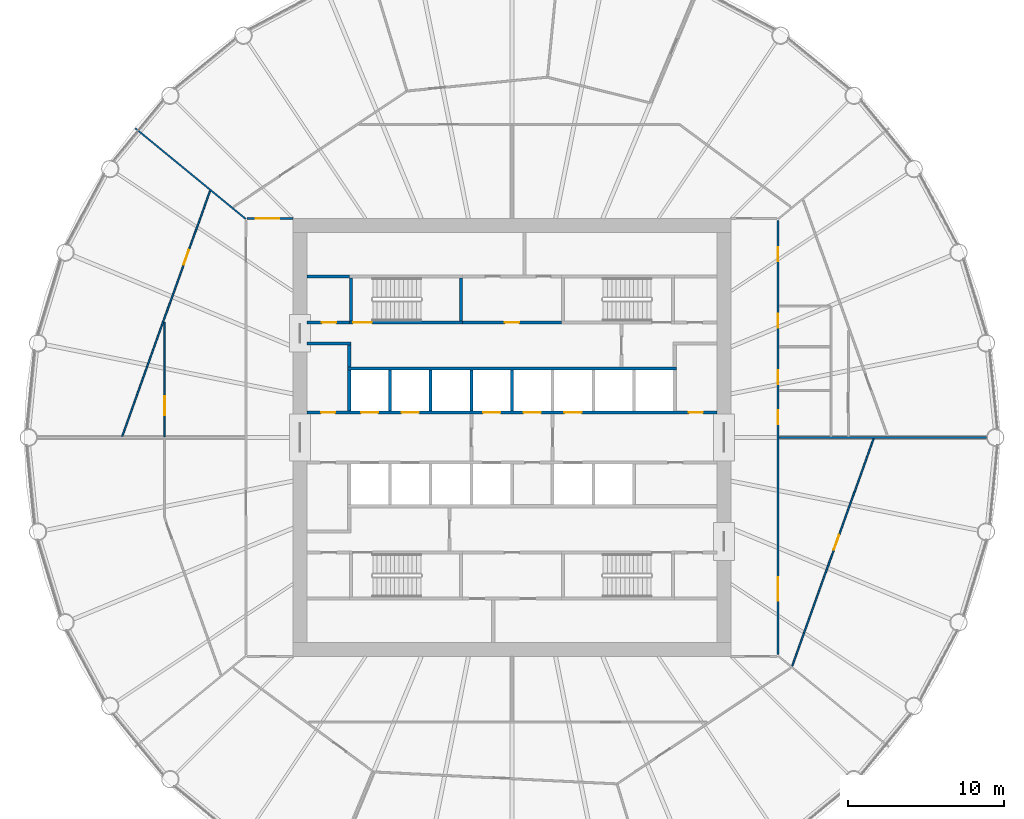
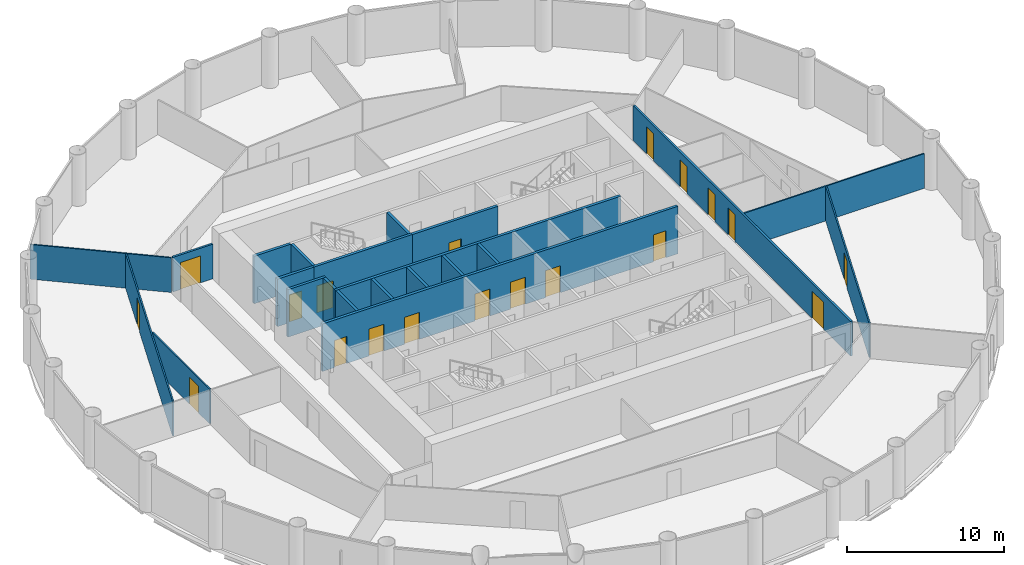
# One storey, part 6 of 9: 22 walls, 19 doors, 19 openings.
"""IFC4 building model written with IfcOpenShell, lengths in metres."""

from ifc_helpers import new_model, si_unit, direction, frame, frame_2d, origin, place, context, subcontext, project, spatial, polyline, rectangle, outline, extrude, material, layer, layer_set, type_object, element, fill, save


model = new_model("IFC4")

# Units and contexts
model_context = context("Model", 3, precision=1e-05, world=origin(), true_north=direction((0.0, 1.0)))
body_context = subcontext(model_context, "Body", "Model", "MODEL_VIEW")
ifc_project = project(units=[si_unit("LENGTHUNIT", "METRE"), si_unit("AREAUNIT", "SQUARE_METRE"), si_unit("VOLUMEUNIT", "CUBIC_METRE"), si_unit("PLANEANGLEUNIT", "RADIAN"), si_unit("MASSUNIT", "GRAM", prefix="KILO")], contexts=[model_context])

# Site, building, storey
site_placement = place(None, origin())
site = spatial("IfcSite", under=ifc_project, at=site_placement, CompositionType="ELEMENT")
building_placement = place(site_placement, origin())
building = spatial("IfcBuilding", under=site, at=building_placement, Name="Corvane Civic Tower", CompositionType="ELEMENT")
storey_placement = place(building_placement, frame((0.0, 0.0, 180.0)))
storey = spatial("IfcBuildingStorey", under=building, at=storey_placement, Name="L42", CompositionType="ELEMENT", Elevation=180.0)

# Wall, openings, doors
ifc_material_1 = material(Name="Concrete C30/37", Category="concrete")
ifc_layer_1 = layer(ifc_material_1, 0.199951171875)
ifc_layer_set_1 = layer_set([ifc_layer_1], Name="Concrete C30/37")
wall_type_1 = type_object("IfcWallType", Name="CR-WALL-200", PredefinedType="PARTITIONING", material=ifc_layer_set_1)
wall_1_placement = place(storey_placement, frame((-13.10009765625, 1.60009765625, 0.0), z_axis=(0.0, 0.0, 1.0), x_axis=(1.0, 0.0, 0.0)))
wall_1 = element("IfcWall", 1, at=wall_1_placement, inside=storey, type_object=wall_type_1, Name="L42 lift shaft wall", PredefinedType="PARTITIONING", context=body_context, shape_type="SweptSolid", body=[
    extrude(rectangle(XDim=26.2001953125, YDim=0.199951171875, at=frame_2d((13.10009765625, 0.0))), origin(), (0.0, 0.0, 1.0), 3.699951171875),
])
opening_1_placement = place(wall_1_placement, frame((3.449951171875, 0.0, 0.0)))
opening_1 = element("IfcOpeningElement", 2, at=opening_1_placement, cuts=wall_1, Name="Opening LD", PredefinedType="OPENING", context=body_context, shape_type="SweptSolid", body=[
    extrude(rectangle(XDim=1.10009765625, YDim=2.10009765625, at=frame_2d((0.550048828125, 1.050048828125))), frame((0.0, 0.10986328125, 0.0), z_axis=(0.0, -1.0, 0.0), x_axis=(1.0, 0.0, 0.0)), (0.0, 0.0, 1.0), 0.219970703125),
])
opening_2_placement = place(wall_1_placement, frame((6.050048828125, 0.0, 0.0)))
opening_2 = element("IfcOpeningElement", 3, at=opening_2_placement, cuts=wall_1, Name="Opening LD", PredefinedType="OPENING", context=body_context, shape_type="SweptSolid", body=[
    extrude(rectangle(XDim=1.10009765625, YDim=2.10009765625, at=frame_2d((0.550048828125, 1.050048828125))), frame((0.0, 0.10986328125, 0.0), z_axis=(0.0, -1.0, 0.0), x_axis=(1.0, 0.0, 0.0)), (0.0, 0.0, 1.0), 0.219970703125),
])
opening_3_placement = place(wall_1_placement, frame((11.25, 0.0, 0.0)))
opening_3 = element("IfcOpeningElement", 4, at=opening_3_placement, cuts=wall_1, Name="Opening LD", PredefinedType="OPENING", context=body_context, shape_type="SweptSolid", body=[
    extrude(rectangle(XDim=1.10009765625, YDim=2.10009765625, at=frame_2d((0.550048828125, 1.050048828125))), frame((0.0, 0.10986328125, 0.0), z_axis=(0.0, -1.0, 0.0), x_axis=(1.0, 0.0, 0.0)), (0.0, 0.0, 1.0), 0.219970703125),
])
opening_4_placement = place(wall_1_placement, frame((13.85009765625, 0.0, 0.0)))
opening_4 = element("IfcOpeningElement", 5, at=opening_4_placement, cuts=wall_1, Name="Opening LD", PredefinedType="OPENING", context=body_context, shape_type="SweptSolid", body=[
    extrude(rectangle(XDim=1.10009765625, YDim=2.10009765625, at=frame_2d((0.550048828125, 1.050048828125))), frame((0.0, 0.10986328125, 0.0), z_axis=(0.0, -1.0, 0.0), x_axis=(1.0, 0.0, 0.0)), (0.0, 0.0, 1.0), 0.219970703125),
])
opening_5_placement = place(wall_1_placement, frame((16.449951171875, 0.0, 0.0)))
opening_5 = element("IfcOpeningElement", 6, at=opening_5_placement, cuts=wall_1, Name="Opening LD", PredefinedType="OPENING", context=body_context, shape_type="SweptSolid", body=[
    extrude(rectangle(XDim=1.10009765625, YDim=2.10009765625, at=frame_2d((0.550048828125, 1.050048828125))), frame((0.0, 0.10986328125, 0.0), z_axis=(0.0, -1.0, 0.0), x_axis=(1.0, 0.0, 0.0)), (0.0, 0.0, 1.0), 0.219970703125),
])
opening_6_placement = place(wall_1_placement, frame((0.89990234375, 0.0, 0.0)))
opening_6 = element("IfcOpeningElement", 7, at=opening_6_placement, cuts=wall_1, Name="Opening L42.C01", PredefinedType="OPENING", context=body_context, shape_type="SweptSolid", body=[
    extrude(rectangle(XDim=0.89990234375, YDim=2.10009765625, at=frame_2d((0.449951171875, 1.050048828125))), frame((0.0, 0.10986328125, 0.0), z_axis=(0.0, -1.0, 0.0), x_axis=(1.0, 0.0, 0.0)), (0.0, 0.0, 1.0), 0.219970703125),
])
opening_7_placement = place(wall_1_placement, frame((24.39990234375, 0.0, 0.0)))
opening_7 = element("IfcOpeningElement", 8, at=opening_7_placement, cuts=wall_1, Name="Opening L42.C02", PredefinedType="OPENING", context=body_context, shape_type="SweptSolid", body=[
    extrude(rectangle(XDim=0.89990234375, YDim=2.10009765625, at=frame_2d((0.449951171875, 1.050048828125))), frame((0.0, 0.10986328125, 0.0), z_axis=(0.0, -1.0, 0.0), x_axis=(1.0, 0.0, 0.0)), (0.0, 0.0, 1.0), 0.219970703125),
])
ifc_material_2 = material(Name="Steel fire door leaf", Category="steel")
door_type_1 = type_object("IfcDoorType", Name="CR-DOOR-900", OperationType="SINGLE_SWING_LEFT", PredefinedType="DOOR", material=ifc_material_2)
door_1_placement = place(opening_6_placement, origin())
door_1 = element("IfcDoor", 9, at=door_1_placement, inside=storey, type_object=door_type_1, Name="L42 door", OperationType="SINGLE_SWING_LEFT", OverallHeight=2.10009765625, OverallWidth=0.89990234375, PredefinedType="DOOR", context=body_context, shape_type="SweptSolid", body=[
    extrude(rectangle(XDim=0.89990234375, YDim=2.10009765625, at=frame_2d((0.449951171875, 1.050048828125))), frame((0.0, 0.02490234375, 0.0), z_axis=(0.0, -1.0, 0.0), x_axis=(1.0, 0.0, 0.0)), (0.0, 0.0, 1.0), 0.050048828125),
])
fill(opening_6, door_1)
door_2_placement = place(opening_7_placement, origin())
door_2 = element("IfcDoor", 10, at=door_2_placement, inside=storey, type_object=door_type_1, Name="L42 door", OperationType="SINGLE_SWING_LEFT", OverallHeight=2.10009765625, OverallWidth=0.89990234375, PredefinedType="DOOR", context=body_context, shape_type="SweptSolid", body=[
    extrude(rectangle(XDim=0.89990234375, YDim=2.10009765625, at=frame_2d((0.449951171875, 1.050048828125))), frame((0.0, 0.02490234375, 0.0), z_axis=(0.0, -1.0, 0.0), x_axis=(1.0, 0.0, 0.0)), (0.0, 0.0, 1.0), 0.050048828125),
])
fill(opening_7, door_2)
ifc_material_3 = material(Name="Stainless steel 316 door leaves", Category="steel")
door_type_2 = type_object("IfcDoorType", Name="LD", OperationType="DOUBLE_DOOR_SLIDING", PredefinedType="DOOR", material=ifc_material_3)
door_3_placement = place(opening_1_placement, origin())
door_3 = element("IfcDoor", 11, at=door_3_placement, inside=storey, type_object=door_type_2, Name="L42 landing door", OperationType="DOUBLE_DOOR_SLIDING", OverallHeight=2.10009765625, OverallWidth=1.10009765625, PredefinedType="DOOR", context=body_context, shape_type="SweptSolid", body=[
    extrude(rectangle(XDim=1.10009765625, YDim=2.10009765625, at=frame_2d((0.550048828125, 1.050048828125))), frame((0.0, 0.02490234375, 0.0), z_axis=(0.0, -1.0, 0.0), x_axis=(1.0, 0.0, 0.0)), (0.0, 0.0, 1.0), 0.050048828125),
])
fill(opening_1, door_3)
door_4_placement = place(opening_2_placement, origin())
door_4 = element("IfcDoor", 12, at=door_4_placement, inside=storey, type_object=door_type_2, Name="L42 landing door", OperationType="DOUBLE_DOOR_SLIDING", OverallHeight=2.10009765625, OverallWidth=1.10009765625, PredefinedType="DOOR", context=body_context, shape_type="SweptSolid", body=[
    extrude(rectangle(XDim=1.10009765625, YDim=2.10009765625, at=frame_2d((0.550048828125, 1.050048828125))), frame((0.0, 0.02490234375, 0.0), z_axis=(0.0, -1.0, 0.0), x_axis=(1.0, 0.0, 0.0)), (0.0, 0.0, 1.0), 0.050048828125),
])
fill(opening_2, door_4)
door_5_placement = place(opening_3_placement, origin())
door_5 = element("IfcDoor", 13, at=door_5_placement, inside=storey, type_object=door_type_2, Name="L42 landing door", OperationType="DOUBLE_DOOR_SLIDING", OverallHeight=2.10009765625, OverallWidth=1.10009765625, PredefinedType="DOOR", context=body_context, shape_type="SweptSolid", body=[
    extrude(rectangle(XDim=1.10009765625, YDim=2.10009765625, at=frame_2d((0.550048828125, 1.050048828125))), frame((0.0, 0.02490234375, 0.0), z_axis=(0.0, -1.0, 0.0), x_axis=(1.0, 0.0, 0.0)), (0.0, 0.0, 1.0), 0.050048828125),
])
fill(opening_3, door_5)
door_6_placement = place(opening_4_placement, origin())
door_6 = element("IfcDoor", 14, at=door_6_placement, inside=storey, type_object=door_type_2, Name="L42 landing door", OperationType="DOUBLE_DOOR_SLIDING", OverallHeight=2.10009765625, OverallWidth=1.10009765625, PredefinedType="DOOR", context=body_context, shape_type="SweptSolid", body=[
    extrude(rectangle(XDim=1.10009765625, YDim=2.10009765625, at=frame_2d((0.550048828125, 1.050048828125))), frame((0.0, 0.02490234375, 0.0), z_axis=(0.0, -1.0, 0.0), x_axis=(1.0, 0.0, 0.0)), (0.0, 0.0, 1.0), 0.050048828125),
])
fill(opening_4, door_6)
door_7_placement = place(opening_5_placement, origin())
door_7 = element("IfcDoor", 15, at=door_7_placement, inside=storey, type_object=door_type_2, Name="L42 landing door", OperationType="DOUBLE_DOOR_SLIDING", OverallHeight=2.10009765625, OverallWidth=1.10009765625, PredefinedType="DOOR", context=body_context, shape_type="SweptSolid", body=[
    extrude(rectangle(XDim=1.10009765625, YDim=2.10009765625, at=frame_2d((0.550048828125, 1.050048828125))), frame((0.0, 0.02490234375, 0.0), z_axis=(0.0, -1.0, 0.0), x_axis=(1.0, 0.0, 0.0)), (0.0, 0.0, 1.0), 0.050048828125),
])
fill(opening_5, door_7)

# Wall, opening, door
wall_2_placement = place(storey_placement, frame((-13.10009765625, 7.35009765625, 0.0), z_axis=(0.0, 0.0, 1.0), x_axis=(1.0, 0.0, 0.0)))
wall_2 = element("IfcWall", 16, at=wall_2_placement, inside=storey, type_object=wall_type_1, Name="L42 core partition wall", PredefinedType="PARTITIONING", context=body_context, shape_type="SweptSolid", body=[
    extrude(rectangle(XDim=2.7001953125, YDim=0.199951171875, at=frame_2d((1.35009765625, 0.0))), origin(), (0.0, 0.0, 1.0), 3.699951171875),
])
opening_8_placement = place(wall_2_placement, frame((0.949951171875, 0.0, 0.0)))
opening_8 = element("IfcOpeningElement", 17, at=opening_8_placement, cuts=wall_2, Name="Opening L42.C12", PredefinedType="OPENING", context=body_context, shape_type="SweptSolid", body=[
    extrude(rectangle(XDim=0.89990234375, YDim=2.10009765625, at=frame_2d((0.449951171875, 1.050048828125))), frame((0.0, 0.10986328125, 0.0), z_axis=(0.0, -1.0, 0.0), x_axis=(1.0, 0.0, 0.0)), (0.0, 0.0, 1.0), 0.219970703125),
])
door_8_placement = place(opening_8_placement, origin())
door_8 = element("IfcDoor", 18, at=door_8_placement, inside=storey, type_object=door_type_1, Name="L42 door", OperationType="SINGLE_SWING_LEFT", OverallHeight=2.10009765625, OverallWidth=0.89990234375, PredefinedType="DOOR", context=body_context, shape_type="SweptSolid", body=[
    extrude(rectangle(XDim=0.89990234375, YDim=2.10009765625, at=frame_2d((0.449951171875, 1.050048828125))), frame((0.0, 0.02490234375, 0.0), z_axis=(0.0, -1.0, 0.0), x_axis=(1.0, 0.0, 0.0)), (0.0, 0.0, 1.0), 0.050048828125),
])
fill(opening_8, door_8)

wall_3_placement = place(storey_placement, frame((-3.14990234375, 7.35009765625, 0.0), z_axis=(0.0, 0.0, 1.0), x_axis=(1.0, 0.0, 0.0)))
wall_3 = element("IfcWall", 19, at=wall_3_placement, inside=storey, type_object=wall_type_1, Name="L42 core partition wall", PredefinedType="PARTITIONING", context=body_context, shape_type="SweptSolid", body=[
    extrude(rectangle(XDim=6.2998046875, YDim=0.199951171875, at=frame_2d((3.14990234375, 0.0))), origin(), (0.0, 0.0, 1.0), 3.699951171875),
])
opening_9_placement = place(wall_3_placement, frame((2.699951171875, 0.0, 0.0)))
opening_9 = element("IfcOpeningElement", 20, at=opening_9_placement, cuts=wall_3, Name="Opening L42.C06", PredefinedType="OPENING", context=body_context, shape_type="SweptSolid", body=[
    extrude(rectangle(XDim=0.89990234375, YDim=2.10009765625, at=frame_2d((0.449951171875, 1.050048828125))), frame((0.0, 0.10986328125, 0.0), z_axis=(0.0, -1.0, 0.0), x_axis=(1.0, 0.0, 0.0)), (0.0, 0.0, 1.0), 0.219970703125),
])
door_9_placement = place(opening_9_placement, origin())
door_9 = element("IfcDoor", 21, at=door_9_placement, inside=storey, type_object=door_type_1, Name="L42 door", OperationType="SINGLE_SWING_LEFT", OverallHeight=2.10009765625, OverallWidth=0.89990234375, PredefinedType="DOOR", context=body_context, shape_type="SweptSolid", body=[
    extrude(rectangle(XDim=0.89990234375, YDim=2.10009765625, at=frame_2d((0.449951171875, 1.050048828125))), frame((0.0, 0.02490234375, 0.0), z_axis=(0.0, -1.0, 0.0), x_axis=(1.0, 0.0, 0.0)), (0.0, 0.0, 1.0), 0.050048828125),
])
fill(opening_9, door_9)

# Walls
wall_4_placement = place(storey_placement, origin())
element("IfcWall", 22, at=wall_4_placement, inside=storey, type_object=wall_type_1, Name="L42 core partition wall", PredefinedType="PARTITIONING", context=body_context, shape_type="SweptSolid", body=[
    extrude(outline(polyline([(10.5, 4.5), (10.5, 4.300048828125), (-10.5, 4.300048828125), (-10.5, 4.5), (10.5, 4.5)])), origin(), (0.0, 0.0, 1.0), 3.699951171875),
])
wall_5_placement = place(storey_placement, origin())
element("IfcWall", 23, at=wall_5_placement, inside=storey, type_object=wall_type_1, Name="L42 core partition wall", PredefinedType="PARTITIONING", context=body_context, shape_type="SweptSolid", body=[
    extrude(outline(polyline([(-10.300048828125, 5.89990234375), (-13.10009765625, 5.89990234375), (-13.10009765625, 6.10009765625), (-10.300048828125, 6.10009765625), (-10.300048828125, 5.89990234375)])), origin(), (0.0, 0.0, 1.0), 3.699951171875),
])
wall_6_placement = place(storey_placement, origin())
element("IfcWall", 24, at=wall_6_placement, inside=storey, type_object=wall_type_1, Name="L42 core partition wall", PredefinedType="PARTITIONING", context=body_context, shape_type="SweptSolid", body=[
    extrude(outline(polyline([(-2.5, 1.699951171875), (-2.699951171875, 1.699951171875), (-2.699951171875, 4.2998046875), (-2.5, 4.2998046875), (-2.5, 1.699951171875)])), origin(), (0.0, 0.0, 1.0), 3.699951171875),
])
wall_7_placement = place(storey_placement, origin())
element("IfcWall", 25, at=wall_7_placement, inside=storey, type_object=wall_type_1, Name="L42 core partition wall", PredefinedType="PARTITIONING", context=body_context, shape_type="SweptSolid", body=[
    extrude(outline(polyline([(0.10009765625, 1.699951171875), (-0.10009765625, 1.699951171875), (-0.10009765625, 4.2998046875), (0.10009765625, 4.2998046875), (0.10009765625, 1.699951171875)])), origin(), (0.0, 0.0, 1.0), 3.699951171875),
])
wall_8_placement = place(storey_placement, origin())
element("IfcWall", 26, at=wall_8_placement, inside=storey, type_object=wall_type_1, Name="L42 core partition wall", PredefinedType="PARTITIONING", context=body_context, shape_type="SweptSolid", body=[
    extrude(outline(polyline([(-10.300048828125, 1.699951171875), (-10.5, 1.699951171875), (-10.5, 4.2998046875), (-10.300048828125, 4.2998046875), (-10.300048828125, 1.699951171875)])), origin(), (0.0, 0.0, 1.0), 3.699951171875),
])
wall_9_placement = place(storey_placement, origin())
element("IfcWall", 27, at=wall_9_placement, inside=storey, type_object=wall_type_1, Name="L42 core partition wall", PredefinedType="PARTITIONING", context=body_context, shape_type="SweptSolid", body=[
    extrude(outline(polyline([(-7.699951171875, 1.699951171875), (-7.89990234375, 1.699951171875), (-7.89990234375, 4.2998046875), (-7.699951171875, 4.2998046875), (-7.699951171875, 1.699951171875)])), origin(), (0.0, 0.0, 1.0), 3.699951171875),
])
wall_10_placement = place(storey_placement, origin())
element("IfcWall", 28, at=wall_10_placement, inside=storey, type_object=wall_type_1, Name="L42 core partition wall", PredefinedType="PARTITIONING", context=body_context, shape_type="SweptSolid", body=[
    extrude(outline(polyline([(-5.10009765625, 1.699951171875), (-5.300048828125, 1.699951171875), (-5.300048828125, 4.2998046875), (-5.10009765625, 4.2998046875), (-5.10009765625, 1.699951171875)])), origin(), (0.0, 0.0, 1.0), 3.699951171875),
])
wall_11_placement = place(storey_placement, origin())
element("IfcWall", 29, at=wall_11_placement, inside=storey, type_object=wall_type_1, Name="L42 core partition wall", PredefinedType="PARTITIONING", context=body_context, shape_type="SweptSolid", body=[
    extrude(outline(polyline([(-10.300048828125, 4.5), (-10.5, 4.5), (-10.5, 5.89990234375), (-10.300048828125, 5.89990234375), (-10.300048828125, 4.5)])), origin(), (0.0, 0.0, 1.0), 3.699951171875),
])
wall_12_placement = place(storey_placement, origin())
element("IfcWall", 30, at=wall_12_placement, inside=storey, type_object=wall_type_1, Name="L42 core partition wall", PredefinedType="PARTITIONING", context=body_context, shape_type="SweptSolid", body=[
    extrude(outline(polyline([(-13.10009765625, 10.199951171875), (-13.10009765625, 10.39990234375), (-10.39990234375, 10.39990234375), (-10.39990234375, 10.199951171875), (-13.10009765625, 10.199951171875)])), origin(), (0.0, 0.0, 1.0), 3.699951171875),
])

# Wall, opening, door
ifc_material_4 = material(Name="Plasterboard")
ifc_layer_2 = layer(ifc_material_4, 0.10009765625)
ifc_layer_set_2 = layer_set([ifc_layer_2], Name="Plasterboard")
wall_type_2 = type_object("IfcWallType", Name="Partition 100 plasterboard on studs", PredefinedType="PARTITIONING", material=ifc_layer_set_2)
wall_13_placement = place(storey_placement, frame((17.911865234375, -14.61328125, 0.0), z_axis=(0.0, 0.0, 1.0), x_axis=(0.336892928538, 0.941542964873, 0.0)))
wall_13 = element("IfcWall", 31, at=wall_13_placement, inside=storey, type_object=wall_type_2, Name="Partition L42.011", PredefinedType="PARTITIONING", context=body_context, shape_type="SweptSolid", body=[
    extrude(rectangle(XDim=15.449462890625, YDim=0.10009765625, at=frame_2d((7.724609375, 0.0))), origin(), (0.0, 0.0, 1.0), 2.699951171875),
])
opening_10_placement = place(wall_13_placement, frame((7.896484375, 0.0, 0.0)))
opening_10 = element("IfcOpeningElement", 32, at=opening_10_placement, cuts=wall_13, Name="Opening L42.019", PredefinedType="OPENING", context=body_context, shape_type="SweptSolid", body=[
    extrude(rectangle(XDim=1.0, YDim=2.10009765625, at=frame_2d((0.5, 1.050048828125))), frame((0.0, 0.06005859375, 0.0), z_axis=(0.0, -1.0, 0.0), x_axis=(1.0, 0.0, 0.0)), (0.0, 0.0, 1.0), 0.1201171875),
])
ifc_material_5 = material(Name="Timber", Category="wood")
door_type_3 = type_object("IfcDoorType", Name="Single door 1000", OperationType="NOTDEFINED", PredefinedType="DOOR", material=ifc_material_5)
door_10_placement = place(opening_10_placement, frame((1.0, 0.0, 0.0), z_axis=(0.0, 0.0, 1.0), x_axis=(-1.0, 0.0, 0.0)))
door_10 = element("IfcDoor", 33, at=door_10_placement, inside=storey, type_object=door_type_3, Name="Door L42.019", OperationType="SINGLE_SWING_LEFT", OverallHeight=2.10009765625, OverallWidth=1.0, PredefinedType="DOOR", context=body_context, shape_type="SweptSolid", body=[
    extrude(rectangle(XDim=1.0, YDim=2.10009765625, at=frame_2d((0.5, 1.050048828125))), frame((0.0, 0.02490234375, 0.0), z_axis=(0.0, -1.0, 0.0), x_axis=(1.0, 0.0, 0.0)), (0.0, 0.0, 1.0), 0.050048828125),
])
fill(opening_10, door_10)

# Wall
wall_14_placement = place(storey_placement, frame((17.074951171875, 0.0, 0.0), z_axis=(0.0, 0.0, 1.0), x_axis=(1.0, 0.0, 0.0)))
element("IfcWall", 34, at=wall_14_placement, inside=storey, type_object=wall_type_2, Name="Partition L42.018", PredefinedType="PARTITIONING", context=body_context, shape_type="SweptSolid", body=[
    extrude(rectangle(XDim=13.264892578125, YDim=0.10009765625, at=frame_2d((6.63232421875, 0.0))), origin(), (0.0, 0.0, 1.0), 2.699951171875),
])

# Wall, opening, door
wall_15_placement = place(storey_placement, frame((-22.199951171875, 0.050048828125, 0.0), z_axis=(0.0, 0.0, 1.0), x_axis=(0.0, 1.0, 0.0)))
wall_15 = element("IfcWall", 35, at=wall_15_placement, inside=storey, type_object=wall_type_2, Name="Partition L42.019", PredefinedType="PARTITIONING", context=body_context, shape_type="SweptSolid", body=[
    extrude(rectangle(XDim=7.3271484375, YDim=0.10009765625, at=frame_2d((3.66357421875, 0.0))), origin(), (0.0, 0.0, 1.0), 2.699951171875),
])
opening_11_placement = place(wall_15_placement, frame((1.377197265625, 0.0, 0.0)))
opening_11 = element("IfcOpeningElement", 36, at=opening_11_placement, cuts=wall_15, Name="Opening L42.024", PredefinedType="OPENING", context=body_context, shape_type="SweptSolid", body=[
    extrude(rectangle(XDim=1.199951171875, YDim=2.10009765625, at=frame_2d((0.60009765625, 1.050048828125))), frame((0.0, 0.06005859375, 0.0), z_axis=(0.0, -1.0, 0.0), x_axis=(1.0, 0.0, 0.0)), (0.0, 0.0, 1.0), 0.1201171875),
])
ifc_material_6 = material(Name="Timber", Category="wood")
door_type_4 = type_object("IfcDoorType", Name="Double door 1200", OperationType="NOTDEFINED", PredefinedType="DOOR", material=ifc_material_6)
door_11_placement = place(opening_11_placement, origin())
door_11 = element("IfcDoor", 37, at=door_11_placement, inside=storey, type_object=door_type_4, Name="Door L42.024", OperationType="DOUBLE_DOOR_SINGLE_SWING", OverallHeight=2.10009765625, OverallWidth=1.199951171875, PredefinedType="DOOR", context=body_context, shape_type="SweptSolid", body=[
    extrude(rectangle(XDim=1.199951171875, YDim=2.10009765625, at=frame_2d((0.60009765625, 1.050048828125))), frame((0.0, 0.02490234375, 0.0), z_axis=(0.0, -1.0, 0.0), x_axis=(1.0, 0.0, 0.0)), (0.0, 0.0, 1.0), 0.050048828125),
])
fill(opening_11, door_11)

wall_16_placement = place(storey_placement, frame((-24.918701171875, 0.06689453125, 0.0), z_axis=(0.0, 0.0, 1.0), x_axis=(0.336884857091, 0.941545852873, 0.0)))
wall_16 = element("IfcWall", 38, at=wall_16_placement, inside=storey, type_object=wall_type_2, Name="Partition L42.022", PredefinedType="PARTITIONING", context=body_context, shape_type="SweptSolid", body=[
    extrude(rectangle(XDim=16.663818359375, YDim=0.10009765625, at=frame_2d((8.33203125, 0.0))), origin(), (0.0, 0.0, 1.0), 2.699951171875),
])
opening_12_placement = place(wall_16_placement, frame((11.648193359375, 0.0, 0.0)))
opening_12 = element("IfcOpeningElement", 39, at=opening_12_placement, cuts=wall_16, Name="Opening L42.023", PredefinedType="OPENING", context=body_context, shape_type="SweptSolid", body=[
    extrude(rectangle(XDim=1.0, YDim=2.10009765625, at=frame_2d((0.5, 1.050048828125))), frame((0.0, 0.06005859375, 0.0), z_axis=(0.0, -1.0, 0.0), x_axis=(1.0, 0.0, 0.0)), (0.0, 0.0, 1.0), 0.1201171875),
])
door_12_placement = place(opening_12_placement, origin())
door_12 = element("IfcDoor", 40, at=door_12_placement, inside=storey, type_object=door_type_3, Name="Door L42.023", OperationType="SINGLE_SWING_RIGHT", OverallHeight=2.10009765625, OverallWidth=1.0, PredefinedType="DOOR", context=body_context, shape_type="SweptSolid", body=[
    extrude(rectangle(XDim=1.0, YDim=2.10009765625, at=frame_2d((0.5, 1.050048828125))), frame((0.0, 0.02490234375, 0.0), z_axis=(0.0, -1.0, 0.0), x_axis=(1.0, 0.0, 0.0)), (0.0, 0.0, 1.0), 0.050048828125),
])
fill(opening_12, door_12)

# Wall
wall_17_placement = place(storey_placement, frame((-24.079345703125, 19.761474609375, 0.0), z_axis=(0.0, 0.0, 1.0), x_axis=(0.773006154143, -0.634398522742, 0.0)))
element("IfcWall", 41, at=wall_17_placement, inside=storey, type_object=wall_type_2, Name="Partition L42.027", PredefinedType="PARTITIONING", context=body_context, shape_type="SweptSolid", body=[
    extrude(rectangle(XDim=9.134521484375, YDim=0.10009765625, at=frame_2d((4.5673828125, 0.0))), origin(), (0.0, 0.0, 1.0), 2.699951171875),
])

# Wall, opening, door
ifc_material_7 = material(Name="Concrete C50/60", Category="concrete")
ifc_layer_3 = layer(ifc_material_7, 0.199951171875)
ifc_layer_set_3 = layer_set([ifc_layer_3], Name="Concrete C50/60")
wall_type_3 = type_object("IfcWallType", Name="ST-WALL-200", PredefinedType="SHEAR", material=ifc_layer_set_3)
wall_18_placement = place(storey_placement, frame((-10.39990234375, 7.35009765625, 0.0), z_axis=(0.0, 0.0, 1.0), x_axis=(1.0, 0.0, 0.0)))
wall_18 = element("IfcWall", 42, at=wall_18_placement, inside=storey, type_object=wall_type_3, Name="L42 stair enclosure wall", PredefinedType="SHEAR", context=body_context, shape_type="SweptSolid", body=[
    extrude(rectangle(XDim=7.25, YDim=0.199951171875, at=frame_2d((3.625, 0.0))), origin(), (0.0, 0.0, 1.0), 3.699951171875),
])
opening_13_placement = place(wall_18_placement, frame((0.25, 0.0, 0.0)))
opening_13 = element("IfcOpeningElement", 43, at=opening_13_placement, cuts=wall_18, Name="Opening L42.C17", PredefinedType="OPENING", context=body_context, shape_type="SweptSolid", body=[
    extrude(rectangle(XDim=1.199951171875, YDim=2.10009765625, at=frame_2d((0.60009765625, 1.050048828125))), frame((0.0, 0.10986328125, 0.0), z_axis=(0.0, -1.0, 0.0), x_axis=(1.0, 0.0, 0.0)), (0.0, 0.0, 1.0), 0.219970703125),
])
ifc_material_8 = material(Name="Steel fire door leaf", Category="steel")
door_type_5 = type_object("IfcDoorType", Name="ST-DOOR-1200", OperationType="SINGLE_SWING_RIGHT", PredefinedType="DOOR", material=ifc_material_8)
door_13_placement = place(opening_13_placement, origin())
door_13 = element("IfcDoor", 44, at=door_13_placement, inside=storey, type_object=door_type_5, Name="L42 stair door", OperationType="SINGLE_SWING_RIGHT", OverallHeight=2.10009765625, OverallWidth=1.199951171875, PredefinedType="DOOR", context=body_context, shape_type="SweptSolid", body=[
    extrude(rectangle(XDim=1.199951171875, YDim=2.10009765625, at=frame_2d((0.60009765625, 1.050048828125))), frame((0.0, 0.02490234375, 0.0), z_axis=(0.0, -1.0, 0.0), x_axis=(1.0, 0.0, 0.0)), (0.0, 0.0, 1.0), 0.050048828125),
])
fill(opening_13, door_13)

# Walls
wall_19_placement = place(storey_placement, origin())
element("IfcWall", 45, at=wall_19_placement, inside=storey, type_object=wall_type_3, Name="L42 stair enclosure wall", PredefinedType="SHEAR", context=body_context, shape_type="SweptSolid", body=[
    extrude(outline(polyline([(-3.14990234375, 7.449951171875), (-3.35009765625, 7.449951171875), (-3.35009765625, 10.199951171875), (-3.14990234375, 10.199951171875), (-3.14990234375, 7.449951171875)])), origin(), (0.0, 0.0, 1.0), 3.699951171875),
])
wall_20_placement = place(storey_placement, origin())
element("IfcWall", 46, at=wall_20_placement, inside=storey, type_object=wall_type_3, Name="L42 stair enclosure wall", PredefinedType="SHEAR", context=body_context, shape_type="SweptSolid", body=[
    extrude(outline(polyline([(-10.199951171875, 7.449951171875), (-10.39990234375, 7.449951171875), (-10.39990234375, 10.199951171875), (-10.199951171875, 10.199951171875), (-10.199951171875, 7.449951171875)])), origin(), (0.0, 0.0, 1.0), 3.699951171875),
])

# Wall, openings, doors
ifc_material_9 = material(Name="Plasterboard")
ifc_layer_4 = layer(ifc_material_9, 0.14990234375)
ifc_layer_set_4 = layer_set([ifc_layer_4], Name="Plasterboard")
wall_type_4 = type_object("IfcWallType", Name="Tenancy wall 150 EI 60", PredefinedType="PARTITIONING", material=ifc_layer_set_4)
wall_21_placement = place(storey_placement, frame((17.0, -13.87646484375, 0.0), z_axis=(0.0, 0.0, 1.0), x_axis=(0.0, 1.0, 0.0)))
wall_21 = element("IfcWall", 47, at=wall_21_placement, inside=storey, type_object=wall_type_4, Name="Partition L42.015", PredefinedType="PARTITIONING", context=body_context, shape_type="SweptSolid", body=[
    extrude(rectangle(XDim=27.7529296875, YDim=0.14990234375, at=frame_2d((13.87646484375, 0.0))), origin(), (0.0, 0.0, 1.0), 2.699951171875),
])
opening_14_placement = place(wall_21_placement, frame((25.141845703125, 0.0, 0.0)))
opening_14 = element("IfcOpeningElement", 48, at=opening_14_placement, cuts=wall_21, Name="Opening L42.015", PredefinedType="OPENING", context=body_context, shape_type="SweptSolid", body=[
    extrude(rectangle(XDim=0.89990234375, YDim=2.10009765625, at=frame_2d((0.449951171875, 1.050048828125))), frame((0.0, 0.0849609375, 0.0), z_axis=(0.0, -1.0, 0.0), x_axis=(1.0, 0.0, 0.0)), (0.0, 0.0, 1.0), 0.169921875),
])
opening_15_placement = place(wall_21_placement, frame((14.715087890625, 0.0, 0.0)))
opening_15 = element("IfcOpeningElement", 49, at=opening_15_placement, cuts=wall_21, Name="Opening L42.016", PredefinedType="OPENING", context=body_context, shape_type="SweptSolid", body=[
    extrude(rectangle(XDim=0.89990234375, YDim=2.10009765625, at=frame_2d((0.449951171875, 1.050048828125))), frame((0.0, 0.0849609375, 0.0), z_axis=(0.0, -1.0, 0.0), x_axis=(1.0, 0.0, 0.0)), (0.0, 0.0, 1.0), 0.169921875),
])
opening_16_placement = place(wall_21_placement, frame((17.285400390625, 0.0, 0.0)))
opening_16 = element("IfcOpeningElement", 50, at=opening_16_placement, cuts=wall_21, Name="Opening L42.017", PredefinedType="OPENING", context=body_context, shape_type="SweptSolid", body=[
    extrude(rectangle(XDim=0.89990234375, YDim=2.10009765625, at=frame_2d((0.449951171875, 1.050048828125))), frame((0.0, 0.0849609375, 0.0), z_axis=(0.0, -1.0, 0.0), x_axis=(1.0, 0.0, 0.0)), (0.0, 0.0, 1.0), 0.169921875),
])
opening_17_placement = place(wall_21_placement, frame((20.8837890625, 0.0, 0.0)))
opening_17 = element("IfcOpeningElement", 51, at=opening_17_placement, cuts=wall_21, Name="Opening L42.018", PredefinedType="OPENING", context=body_context, shape_type="SweptSolid", body=[
    extrude(rectangle(XDim=0.89990234375, YDim=2.10009765625, at=frame_2d((0.449951171875, 1.050048828125))), frame((0.0, 0.0849609375, 0.0), z_axis=(0.0, -1.0, 0.0), x_axis=(1.0, 0.0, 0.0)), (0.0, 0.0, 1.0), 0.169921875),
])
opening_18_placement = place(wall_21_placement, frame((3.434326171875, 0.0, 0.0)))
opening_18 = element("IfcOpeningElement", 52, at=opening_18_placement, cuts=wall_21, Name="Opening L42.020", PredefinedType="OPENING", context=body_context, shape_type="SweptSolid", body=[
    extrude(rectangle(XDim=1.5, YDim=2.10009765625, at=frame_2d((0.75, 1.050048828125))), frame((0.0, 0.0849609375, 0.0), z_axis=(0.0, -1.0, 0.0), x_axis=(1.0, 0.0, 0.0)), (0.0, 0.0, 1.0), 0.169921875),
])
ifc_material_10 = material(Name="Steel and timber", Category="steel")
door_type_6 = type_object("IfcDoorType", Name="Fire door FD30S 900", OperationType="NOTDEFINED", PredefinedType="DOOR", material=ifc_material_10)
door_14_placement = place(opening_14_placement, frame((0.89990234375, 0.0, 0.0), z_axis=(0.0, 0.0, 1.0), x_axis=(-1.0, 0.0, 0.0)))
door_14 = element("IfcDoor", 53, at=door_14_placement, inside=storey, type_object=door_type_6, Name="Door L42.015", OperationType="SINGLE_SWING_LEFT", OverallHeight=2.10009765625, OverallWidth=0.89990234375, PredefinedType="DOOR", context=body_context, shape_type="SweptSolid", body=[
    extrude(rectangle(XDim=0.89990234375, YDim=2.10009765625, at=frame_2d((0.449951171875, 1.050048828125))), frame((0.0, 0.02490234375, 0.0), z_axis=(0.0, -1.0, 0.0), x_axis=(1.0, 0.0, 0.0)), (0.0, 0.0, 1.0), 0.050048828125),
])
fill(opening_14, door_14)
door_15_placement = place(opening_15_placement, frame((0.89990234375, 0.0, 0.0), z_axis=(0.0, 0.0, 1.0), x_axis=(-1.0, 0.0, 0.0)))
door_15 = element("IfcDoor", 54, at=door_15_placement, inside=storey, type_object=door_type_6, Name="Door L42.016", OperationType="SINGLE_SWING_LEFT", OverallHeight=2.10009765625, OverallWidth=0.89990234375, PredefinedType="DOOR", context=body_context, shape_type="SweptSolid", body=[
    extrude(rectangle(XDim=0.89990234375, YDim=2.10009765625, at=frame_2d((0.449951171875, 1.050048828125))), frame((0.0, 0.02490234375, 0.0), z_axis=(0.0, -1.0, 0.0), x_axis=(1.0, 0.0, 0.0)), (0.0, 0.0, 1.0), 0.050048828125),
])
fill(opening_15, door_15)
door_16_placement = place(opening_16_placement, frame((0.89990234375, 0.0, 0.0), z_axis=(0.0, 0.0, 1.0), x_axis=(-1.0, 0.0, 0.0)))
door_16 = element("IfcDoor", 55, at=door_16_placement, inside=storey, type_object=door_type_6, Name="Door L42.017", OperationType="SINGLE_SWING_RIGHT", OverallHeight=2.10009765625, OverallWidth=0.89990234375, PredefinedType="DOOR", context=body_context, shape_type="SweptSolid", body=[
    extrude(rectangle(XDim=0.89990234375, YDim=2.10009765625, at=frame_2d((0.449951171875, 1.050048828125))), frame((0.0, 0.02490234375, 0.0), z_axis=(0.0, -1.0, 0.0), x_axis=(1.0, 0.0, 0.0)), (0.0, 0.0, 1.0), 0.050048828125),
])
fill(opening_16, door_16)
door_17_placement = place(opening_17_placement, frame((0.89990234375, 0.0, 0.0), z_axis=(0.0, 0.0, 1.0), x_axis=(-1.0, 0.0, 0.0)))
door_17 = element("IfcDoor", 56, at=door_17_placement, inside=storey, type_object=door_type_6, Name="Door L42.018", OperationType="SINGLE_SWING_LEFT", OverallHeight=2.10009765625, OverallWidth=0.89990234375, PredefinedType="DOOR", context=body_context, shape_type="SweptSolid", body=[
    extrude(rectangle(XDim=0.89990234375, YDim=2.10009765625, at=frame_2d((0.449951171875, 1.050048828125))), frame((0.0, 0.02490234375, 0.0), z_axis=(0.0, -1.0, 0.0), x_axis=(1.0, 0.0, 0.0)), (0.0, 0.0, 1.0), 0.050048828125),
])
fill(opening_17, door_17)
ifc_material_11 = material(Name="Steel and timber", Category="steel")
door_type_7 = type_object("IfcDoorType", Name="Fire door FD60 double 1500", OperationType="NOTDEFINED", PredefinedType="DOOR", material=ifc_material_11)
door_18_placement = place(opening_18_placement, frame((1.5, 0.0, 0.0), z_axis=(0.0, 0.0, 1.0), x_axis=(-1.0, 0.0, 0.0)))
door_18 = element("IfcDoor", 57, at=door_18_placement, inside=storey, type_object=door_type_7, Name="Door L42.020", OperationType="DOUBLE_DOOR_SINGLE_SWING", OverallHeight=2.10009765625, OverallWidth=1.5, PredefinedType="DOOR", context=body_context, shape_type="SweptSolid", body=[
    extrude(rectangle(XDim=1.5, YDim=2.10009765625, at=frame_2d((0.75, 1.050048828125))), frame((0.0, 0.02490234375, 0.0), z_axis=(0.0, -1.0, 0.0), x_axis=(1.0, 0.0, 0.0)), (0.0, 0.0, 1.0), 0.050048828125),
])
fill(opening_18, door_18)

# Wall, opening, door
wall_22_placement = place(storey_placement, frame((-16.925048828125, 14.0, 0.0), z_axis=(0.0, 0.0, 1.0), x_axis=(1.0, 0.0, 0.0)))
wall_22 = element("IfcWall", 58, at=wall_22_placement, inside=storey, type_object=wall_type_4, Name="Partition L42.029", PredefinedType="PARTITIONING", context=body_context, shape_type="SweptSolid", body=[
    extrude(rectangle(XDim=2.93505859375, YDim=0.14990234375, at=frame_2d((1.467529296875, 0.0))), origin(), (0.0, 0.0, 1.0), 2.699951171875),
])
opening_19_placement = place(wall_22_placement, frame((0.53271484375, 0.0, 0.0)))
opening_19 = element("IfcOpeningElement", 59, at=opening_19_placement, cuts=wall_22, Name="Opening L42.005", PredefinedType="OPENING", context=body_context, shape_type="SweptSolid", body=[
    extrude(rectangle(XDim=1.5, YDim=2.10009765625, at=frame_2d((0.75, 1.050048828125))), frame((0.0, 0.0849609375, 0.0), z_axis=(0.0, -1.0, 0.0), x_axis=(1.0, 0.0, 0.0)), (0.0, 0.0, 1.0), 0.169921875),
])
door_19_placement = place(opening_19_placement, origin())
door_19 = element("IfcDoor", 60, at=door_19_placement, inside=storey, type_object=door_type_7, Name="Door L42.005", OperationType="DOUBLE_DOOR_SINGLE_SWING", OverallHeight=2.10009765625, OverallWidth=1.5, PredefinedType="DOOR", context=body_context, shape_type="SweptSolid", body=[
    extrude(rectangle(XDim=1.5, YDim=2.10009765625, at=frame_2d((0.75, 1.050048828125))), frame((0.0, 0.02490234375, 0.0), z_axis=(0.0, -1.0, 0.0), x_axis=(1.0, 0.0, 0.0)), (0.0, 0.0, 1.0), 0.050048828125),
])
fill(opening_19, door_19)

save(model, "model.ifc")
